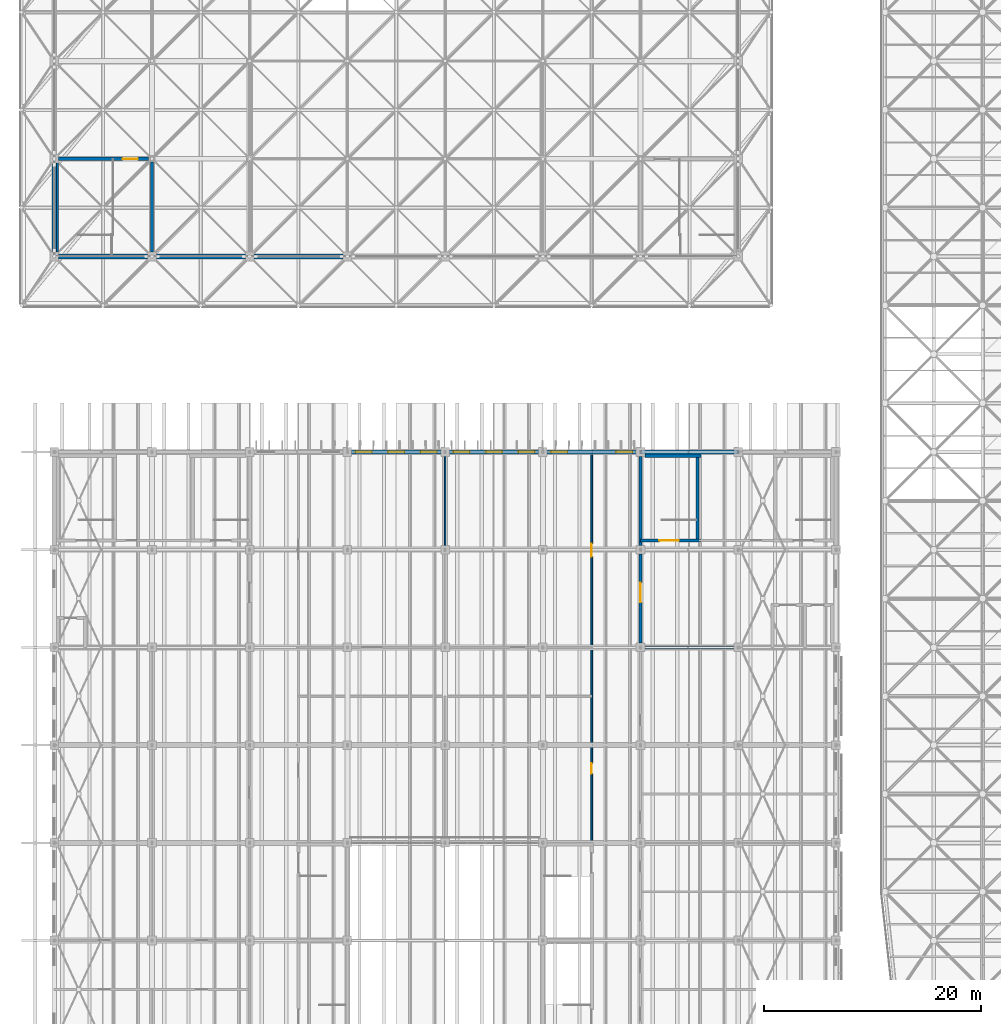
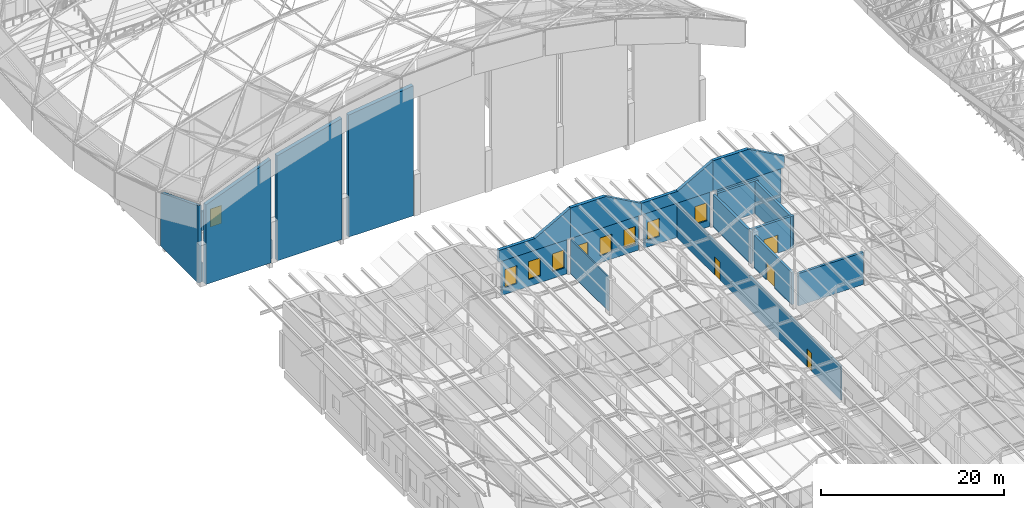
# One storey, part 269 of 437: 24 walls, 8 windows, 5 doors, 13 openings.
"""IFC4 building model written with IfcOpenShell, lengths in metres."""

from ifc_helpers import new_model, si_unit, direction, frame, frame_2d, origin, place, context, subcontext, project, spatial, polyline, rectangle, outline, extrude, material, layer, layer_set, type_object, element, fill, save


model = new_model("IFC4")

# Units and contexts
model_context = context("Model", 3, precision=1e-05, world=origin(), true_north=direction((0.0, 1.0)))
body_context = subcontext(model_context, "Body", "Model", "MODEL_VIEW")
ifc_project = project(units=[si_unit("LENGTHUNIT", "METRE"), si_unit("AREAUNIT", "SQUARE_METRE"), si_unit("VOLUMEUNIT", "CUBIC_METRE"), si_unit("PLANEANGLEUNIT", "RADIAN"), si_unit("MASSUNIT", "GRAM", prefix="KILO")], contexts=[model_context])

# Site, building, storey
site_placement = place(None, origin())
site = spatial("IfcSite", under=ifc_project, at=site_placement, CompositionType="ELEMENT")
building_placement = place(site_placement, origin())
building = spatial("IfcBuilding", under=site, at=building_placement, Name="Opaline Strait Convention Centre", CompositionType="ELEMENT")
storey_placement = place(building_placement, frame((0.0, 0.0, 11.5)))
storey = spatial("IfcBuildingStorey", under=building, at=storey_placement, Name="L02", CompositionType="ELEMENT", Elevation=11.5)

# Wall
ifc_material_1 = material(Name="Gypsum board on metal studs with mineral wool")
ifc_layer_1 = layer(ifc_material_1, 0.14990234375)
ifc_layer_set_1 = layer_set([ifc_layer_1], Name="Gypsum board on metal studs with mineral wool")
wall_type_1 = type_object("IfcWallType", Name="Partition 150", PredefinedType="PARTITIONING", material=ifc_layer_set_1)
wall_1_placement = place(storey_placement, frame((45.0, 90.39990234375, 0.0), z_axis=(0.0, 0.0, 1.0), x_axis=(0.0, 1.0, 0.0)))
element("IfcWall", 1, at=wall_1_placement, inside=storey, type_object=wall_type_1, Name="L02 partition", PredefinedType="PARTITIONING", context=body_context, shape_type="SweptSolid", body=[
    extrude(rectangle(XDim=8.2001953125, YDim=0.14990234375, at=frame_2d((4.10009765625, 0.0))), origin(), (0.0, 0.0, 1.0), 4.550048828125),
])

# Wall, openings, doors
wall_2_placement = place(storey_placement, frame((58.5, 63.0, 0.0), z_axis=(0.0, 0.0, 1.0), x_axis=(0.0, 1.0, 0.0)))
wall_2 = element("IfcWall", 2, at=wall_2_placement, inside=storey, type_object=wall_type_1, Name="L02 partition", PredefinedType="PARTITIONING", context=body_context, shape_type="SweptSolid", body=[
    extrude(rectangle(XDim=36.0, YDim=0.14990234375, at=frame_2d((18.0, 0.0))), origin(), (0.0, 0.0, 1.0), 4.550048828125),
])
opening_1_placement = place(wall_2_placement, frame((6.35009765625, 0.0, 0.0)))
opening_1 = element("IfcOpeningElement", 3, at=opening_1_placement, cuts=wall_2, Name="Opening R2-035", PredefinedType="OPENING", context=body_context, shape_type="SweptSolid", body=[
    extrude(rectangle(XDim=1.0, YDim=2.39990234375, at=frame_2d((0.5, 1.199951171875))), frame((0.0, 0.0849609375, 0.0), z_axis=(0.0, -1.0, 0.0), x_axis=(1.0, 0.0, 0.0)), (0.0, 0.0, 1.0), 0.169921875),
])
opening_2_placement = place(wall_2_placement, frame((26.35009765625, 0.0, 0.0)))
opening_2 = element("IfcOpeningElement", 4, at=opening_2_placement, cuts=wall_2, Name="Opening R2-038", PredefinedType="OPENING", context=body_context, shape_type="SweptSolid", body=[
    extrude(rectangle(XDim=1.199951171875, YDim=2.39990234375, at=frame_2d((0.60009765625, 1.199951171875))), frame((0.0, 0.0849609375, 0.0), z_axis=(0.0, -1.0, 0.0), x_axis=(1.0, 0.0, 0.0)), (0.0, 0.0, 1.0), 0.169921875),
])
ifc_material_2 = material(Name="Timber door leaf in steel frame", Category="steel")
door_type_1 = type_object("IfcDoorType", Name="Door 1000x2400 single FD30", OperationType="SINGLE_SWING_LEFT", PredefinedType="DOOR", material=ifc_material_2)
door_1_placement = place(opening_1_placement, frame((1.0, 0.0, 0.0), z_axis=(0.0, 0.0, 1.0), x_axis=(-1.0, 0.0, 0.0)))
door_1 = element("IfcDoor", 5, at=door_1_placement, inside=storey, type_object=door_type_1, Name="Conference Support Room door R2-035", ObjectType="RD1", OperationType="SINGLE_SWING_LEFT", OverallHeight=2.39990234375, OverallWidth=1.0, PredefinedType="DOOR", context=body_context, shape_type="SweptSolid", body=[
    extrude(rectangle(XDim=1.0, YDim=2.39990234375, at=frame_2d((0.5, 1.199951171875))), frame((0.0, 0.02490234375, 0.0), z_axis=(0.0, -1.0, 0.0), x_axis=(1.0, 0.0, 0.0)), (0.0, 0.0, 1.0), 0.050048828125),
])
fill(opening_1, door_1)
door_type_2 = type_object("IfcDoorType", Name="Meeting room door 1200x2400 FD30", OperationType="SINGLE_SWING_LEFT", PredefinedType="DOOR", material=ifc_material_2)
door_2_placement = place(opening_2_placement, frame((1.199951171875, 0.0, 0.0), z_axis=(0.0, 0.0, 1.0), x_axis=(-1.0, 0.0, 0.0)))
door_2 = element("IfcDoor", 6, at=door_2_placement, inside=storey, type_object=door_type_2, Name="Meeting Suite 2.03 door R2-038", ObjectType="RD14", OperationType="SINGLE_SWING_LEFT", OverallHeight=2.39990234375, OverallWidth=1.199951171875, PredefinedType="DOOR", context=body_context, shape_type="SweptSolid", body=[
    extrude(rectangle(XDim=1.199951171875, YDim=2.39990234375, at=frame_2d((0.60009765625, 1.199951171875))), frame((0.0, 0.02490234375, 0.0), z_axis=(0.0, -1.0, 0.0), x_axis=(1.0, 0.0, 0.0)), (0.0, 0.0, 1.0), 0.050048828125),
])
fill(opening_2, door_2)

# Walls
ifc_material_3 = material(Name="Concrete C40", Category="concrete")
ifc_layer_2 = layer(ifc_material_3, 0.320068359375)
ifc_material_4 = material(Name="Mineral wool insulation")
ifc_layer_3 = layer(ifc_material_4, 0.050048828125)
ifc_material_5 = material(Name="Gypsum board lining")
ifc_layer_4 = layer(ifc_material_5, 0.030029296875)
ifc_layer_set_2 = layer_set([ifc_layer_2, ifc_layer_3, ifc_layer_4], Name="Concrete C40, Mineral wool insulation, Gypsum board lining")
wall_type_2 = type_object("IfcWallType", Name="RC external wall 400 C40", PredefinedType="SOLIDWALL", material=ifc_layer_set_2)
wall_3_placement = place(storey_placement, frame((9.0, 117.39990234375, 0.0), z_axis=(0.0, 0.0, 1.0), x_axis=(0.0, 1.0, 0.0)))
element("IfcWall", 7, at=wall_3_placement, inside=storey, type_object=wall_type_2, Name="PW1 west wall L02 2/P-2/Q", PredefinedType="SOLIDWALL", context=body_context, shape_type="SweptSolid", body=[
    extrude(outline(polyline([(0.0, 0.0), (8.2001953125, 0.0), (8.199951171875, 7.061279296875), (0.0, 10.3134765625), (0.0, 0.0)])), frame((0.0, 0.199951171875, 0.0), z_axis=(0.0, -1.0, 0.0), x_axis=(1.0, 0.0, 0.0)), (0.0, 0.0, 1.0), 0.39990234375),
])
ifc_layer_5 = layer(ifc_material_3, 0.419921875)
ifc_layer_6 = layer(ifc_material_4, 0.050048828125)
ifc_layer_7 = layer(ifc_material_5, 0.030029296875)
ifc_layer_set_3 = layer_set([ifc_layer_5, ifc_layer_6, ifc_layer_7], Name="Concrete C40, Mineral wool insulation, Gypsum board lining")
wall_type_3 = type_object("IfcWallType", Name="RC stage wall 500 C40", PredefinedType="SOLIDWALL", material=ifc_layer_set_3)
wall_4_placement = place(storey_placement, frame((9.39990234375, 117.0, 0.0), z_axis=(0.0, 0.0, 1.0), x_axis=(1.0, 0.0, 0.0)))
element("IfcWall", 8, at=wall_4_placement, inside=storey, type_object=wall_type_3, Name="PW2 south stage wall L02 2/P-3/P", PredefinedType="SOLIDWALL", context=body_context, shape_type="SweptSolid", body=[
    extrude(outline(polyline([(0.0, 0.0), (8.2001953125, 0.0), (8.199951171875, 13.816162109375), (0.0, 10.578125), (0.0, 0.0)])), frame((0.0, 0.25, 0.0), z_axis=(0.0, -1.0, 0.0), x_axis=(1.0, 0.0, 0.0)), (0.0, 0.0, 1.0), 0.5),
])
wall_5_placement = place(storey_placement, frame((18.39990234375, 117.0, 0.0), z_axis=(0.0, 0.0, 1.0), x_axis=(1.0, 0.0, 0.0)))
element("IfcWall", 9, at=wall_5_placement, inside=storey, type_object=wall_type_3, Name="PW2 south stage wall L02 3/P-4/P", PredefinedType="SOLIDWALL", context=body_context, shape_type="SweptSolid", body=[
    extrude(outline(polyline([(0.0, 0.0), (8.2001953125, 0.0), (8.199951171875, 16.152587890625), (0.0, 13.993896484375), (0.0, 0.0)])), frame((0.0, 0.25, 0.0), z_axis=(0.0, -1.0, 0.0), x_axis=(1.0, 0.0, 0.0)), (0.0, 0.0, 1.0), 0.5),
])
wall_6_placement = place(storey_placement, frame((27.39990234375, 117.0, 0.0), z_axis=(0.0, 0.0, 1.0), x_axis=(1.0, 0.0, 0.0)))
element("IfcWall", 10, at=wall_6_placement, inside=storey, type_object=wall_type_3, Name="PW2 south stage wall L02 4/P-5/P", PredefinedType="SOLIDWALL", context=body_context, shape_type="SweptSolid", body=[
    extrude(outline(polyline([(0.0, 0.0), (8.2001953125, 0.0), (8.199951171875, 17.34619140625), (0.0, 16.26708984375), (0.0, 0.0)])), frame((0.0, 0.25, 0.0), z_axis=(0.0, -1.0, 0.0), x_axis=(1.0, 0.0, 0.0)), (0.0, 0.0, 1.0), 0.5),
])
ifc_layer_8 = layer(ifc_material_3, 0.300048828125)
ifc_layer_set_4 = layer_set([ifc_layer_8], Name="Concrete C40")
wall_type_4 = type_object("IfcWallType", Name="RC stair core wall 300 C40", PredefinedType="SOLIDWALL", material=ifc_layer_set_4)
wall_7_placement = place(storey_placement, frame((18.0, 117.39990234375, 0.0), z_axis=(0.0, 0.0, 1.0), x_axis=(0.0, 1.0, 0.0)))
element("IfcWall", 11, at=wall_7_placement, inside=storey, type_object=wall_type_4, Name="PW13 L02 SW core side wall", PredefinedType="SOLIDWALL", context=body_context, shape_type="SweptSolid", body=[
    extrude(rectangle(XDim=8.300048828125, YDim=0.300048828125, at=frame_2d((4.14990234375, 0.0))), origin(), (0.0, 0.0, 1.0), 2.5),
])

# Wall, opening, door
wall_8_placement = place(storey_placement, frame((9.39990234375, 126.0, 0.0), z_axis=(0.0, 0.0, 1.0), x_axis=(1.0, 0.0, 0.0)))
wall_8 = element("IfcWall", 12, at=wall_8_placement, inside=storey, type_object=wall_type_4, Name="PW13 L02 SW core cross wall", PredefinedType="SOLIDWALL", context=body_context, shape_type="SweptSolid", body=[
    extrude(rectangle(XDim=8.300048828125, YDim=0.300048828125, at=frame_2d((4.14990234375, 0.0))), origin(), (0.0, 0.0, 1.0), 2.5),
])
opening_3_placement = place(wall_8_placement, frame((5.89990234375, 0.0, 0.0)))
opening_3 = element("IfcOpeningElement", 13, at=opening_3_placement, cuts=wall_8, Name="Opening P2-001", PredefinedType="OPENING", context=body_context, shape_type="SweptSolid", body=[
    extrude(rectangle(XDim=1.39990234375, YDim=2.39990234375, at=frame_2d((0.699951171875, 1.199951171875))), frame((0.0, 0.159912109375, 0.0), z_axis=(0.0, -1.0, 0.0), x_axis=(1.0, 0.0, 0.0)), (0.0, 0.0, 1.0), 0.320068359375),
])
ifc_material_6 = material(Name="Steel Q235B", Category="steel")
door_type_3 = type_object("IfcDoorType", Name="Fire door FD60 1400 x 2400", OperationType="DOUBLE_DOOR_SINGLE_SWING", PredefinedType="DOOR", material=ifc_material_6)
door_3_placement = place(opening_3_placement, origin())
door_3 = element("IfcDoor", 14, at=door_3_placement, inside=storey, type_object=door_type_3, Name="SW stair core door", ObjectType="PD8", OperationType="SINGLE_SWING_LEFT", OverallHeight=2.39990234375, OverallWidth=1.39990234375, PredefinedType="DOOR", context=body_context, shape_type="SweptSolid", body=[
    extrude(rectangle(XDim=1.39990234375, YDim=2.39990234375, at=frame_2d((0.699951171875, 1.199951171875))), frame((0.0, 0.02490234375, 0.0), z_axis=(0.0, -1.0, 0.0), x_axis=(1.0, 0.0, 0.0)), (0.0, 0.0, 1.0), 0.050048828125),
])
fill(opening_3, door_3)

# Walls
ifc_layer_9 = layer(ifc_material_3, 0.199951171875)
ifc_layer_set_5 = layer_set([ifc_layer_9], Name="Concrete C40")
wall_type_5 = type_object("IfcWallType", Name="RC stair lining wall 200 C40", PredefinedType="SOLIDWALL", material=ifc_layer_set_5)
wall_9_placement = place(storey_placement, frame((9.300048828125, 117.39990234375, 0.0), z_axis=(0.0, 0.0, 1.0), x_axis=(0.0, 1.0, 0.0)))
element("IfcWall", 15, at=wall_9_placement, inside=storey, type_object=wall_type_5, Name="PW14 L02 SW stair lining wall", PredefinedType="SOLIDWALL", context=body_context, shape_type="SweptSolid", body=[
    extrude(rectangle(XDim=8.300048828125, YDim=0.199951171875, at=frame_2d((4.14990234375, 0.0))), origin(), (0.0, 0.0, 1.0), 2.5),
])
ifc_layer_10 = layer(ifc_material_3, 0.300048828125)
ifc_layer_set_6 = layer_set([ifc_layer_10], Name="Concrete C40")
wall_type_6 = type_object("IfcWallType", Name="RC wall 300 C40", PredefinedType="SOLIDWALL", material=ifc_layer_set_6)
wall_10_placement = place(storey_placement, frame((68.550048828125, 98.64990234375, 0.0), z_axis=(0.0, 0.0, 1.0), x_axis=(-1.0, 0.0, 0.0)))
element("IfcWall", 16, at=wall_10_placement, inside=storey, type_object=wall_type_6, Name="NE core STB-S wall", PredefinedType="SOLIDWALL", context=body_context, shape_type="SweptSolid", body=[
    extrude(rectangle(XDim=5.150146484375, YDim=0.300048828125, at=frame_2d((2.5751953125, 0.0))), origin(), (0.0, 0.0, 1.0), 4.300048828125),
])

# Wall, opening, door
wall_11_placement = place(storey_placement, frame((68.550048828125, 90.85009765625, 0.0), z_axis=(0.0, 0.0, 1.0), x_axis=(-1.0, 0.0, 0.0)))
wall_11 = element("IfcWall", 17, at=wall_11_placement, inside=storey, type_object=wall_type_6, Name="NE core STB-N wall", PredefinedType="SOLIDWALL", context=body_context, shape_type="SweptSolid", body=[
    extrude(rectangle(XDim=5.550048828125, YDim=0.300048828125, at=frame_2d((2.77490234375, 0.0))), origin(), (0.0, 0.0, 1.0), 4.300048828125),
])
opening_4_placement = place(wall_11_placement, frame((2.02490234375, 0.0, 0.0)))
opening_4 = element("IfcOpeningElement", 18, at=opening_4_placement, cuts=wall_11, Name="Opening R2-018", PredefinedType="OPENING", context=body_context, shape_type="SweptSolid", body=[
    extrude(rectangle(XDim=1.800048828125, YDim=2.39990234375, at=frame_2d((0.89990234375, 1.199951171875))), frame((0.0, 0.159912109375, 0.0), z_axis=(0.0, -1.0, 0.0), x_axis=(1.0, 0.0, 0.0)), (0.0, 0.0, 1.0), 0.320068359375),
])
ifc_material_7 = material(Name="Timber door leaves in steel frame", Category="steel")
door_type_4 = type_object("IfcDoorType", Name="Stair door 1800x2400 double FD60", OperationType="DOUBLE_DOOR_SINGLE_SWING", PredefinedType="DOOR", material=ifc_material_7)
door_4_placement = place(opening_4_placement, origin())
door_4 = element("IfcDoor", 19, at=door_4_placement, inside=storey, type_object=door_type_4, Name="Stair door NEB R2-018", ObjectType="RD7", OperationType="DOUBLE_DOOR_SINGLE_SWING", OverallHeight=2.39990234375, OverallWidth=1.800048828125, PredefinedType="DOOR", context=body_context, shape_type="SweptSolid", body=[
    extrude(rectangle(XDim=1.800048828125, YDim=2.39990234375, at=frame_2d((0.89990234375, 1.199951171875))), frame((0.0, 0.02490234375, 0.0), z_axis=(0.0, -1.0, 0.0), x_axis=(1.0, 0.0, 0.0)), (0.0, 0.0, 1.0), 0.050048828125),
])
fill(opening_4, door_4)

# Walls
wall_12_placement = place(storey_placement, frame((68.25, 98.800048828125, 0.0), z_axis=(0.0, 0.0, 1.0), x_axis=(0.0, -1.0, 0.0)))
element("IfcWall", 20, at=wall_12_placement, inside=storey, type_object=wall_type_6, Name="NE core STB-W wall", PredefinedType="SOLIDWALL", context=body_context, shape_type="SweptSolid", body=[
    extrude(rectangle(XDim=8.10009765625, YDim=0.300048828125, at=frame_2d((4.050048828125, 0.0))), origin(), (0.0, 0.0, 1.0), 4.300048828125),
])
wall_13_placement = place(storey_placement, frame((63.0, 98.60009765625, 0.0), z_axis=(0.0, 0.0, 1.0), x_axis=(0.0, -1.0, 0.0)))
element("IfcWall", 21, at=wall_13_placement, inside=storey, type_object=wall_type_6, Name="NE core STB-E wall", PredefinedType="SOLIDWALL", context=body_context, shape_type="SweptSolid", body=[
    extrude(rectangle(XDim=7.900146484375, YDim=0.300048828125, at=frame_2d((3.9501953125, 0.0))), origin(), (0.0, 0.0, 1.0), 4.300048828125),
])
wall_14_placement = place(storey_placement, frame((71.60009765625, 81.0, 0.0), z_axis=(0.0, 0.0, 1.0), x_axis=(-1.0, 0.0, 0.0)))
element("IfcWall", 22, at=wall_14_placement, inside=storey, type_object=wall_type_6, Name="NE core BND-N wall", PredefinedType="SOLIDWALL", context=body_context, shape_type="SweptSolid", body=[
    extrude(rectangle(XDim=8.2001953125, YDim=0.300048828125, at=frame_2d((4.10009765625, 0.0))), origin(), (0.0, 0.0, 1.0), 4.300048828125),
])

# Wall, opening, door
wall_15_placement = place(storey_placement, frame((63.0, 89.60009765625, 0.0), z_axis=(0.0, 0.0, 1.0), x_axis=(0.0, -1.0, 0.0)))
wall_15 = element("IfcWall", 23, at=wall_15_placement, inside=storey, type_object=wall_type_6, Name="NE core BND-E wall", PredefinedType="SOLIDWALL", context=body_context, shape_type="SweptSolid", body=[
    extrude(rectangle(XDim=8.2001953125, YDim=0.300048828125, at=frame_2d((4.10009765625, 0.0))), origin(), (0.0, 0.0, 1.0), 4.300048828125),
])
opening_5_placement = place(wall_15_placement, frame((2.64990234375, 0.0, 0.0)))
opening_5 = element("IfcOpeningElement", 24, at=opening_5_placement, cuts=wall_15, Name="Opening R2-020", PredefinedType="OPENING", context=body_context, shape_type="SweptSolid", body=[
    extrude(rectangle(XDim=1.800048828125, YDim=2.39990234375, at=frame_2d((0.89990234375, 1.199951171875))), frame((0.0, 0.159912109375, 0.0), z_axis=(0.0, -1.0, 0.0), x_axis=(1.0, 0.0, 0.0)), (0.0, 0.0, 1.0), 0.320068359375),
])
door_type_5 = type_object("IfcDoorType", Name="Door 1800x2400 double FD60", OperationType="DOUBLE_DOOR_SINGLE_SWING", PredefinedType="DOOR", material=ifc_material_7)
door_5_placement = place(opening_5_placement, frame((1.800048828125, 0.0, 0.0), z_axis=(0.0, 0.0, 1.0), x_axis=(-1.0, 0.0, 0.0)))
door_5 = element("IfcDoor", 25, at=door_5_placement, inside=storey, type_object=door_type_5, Name="Core lobby door NE R2-020", ObjectType="RD9", OperationType="DOUBLE_DOOR_SINGLE_SWING", OverallHeight=2.39990234375, OverallWidth=1.800048828125, PredefinedType="DOOR", context=body_context, shape_type="SweptSolid", body=[
    extrude(rectangle(XDim=1.800048828125, YDim=2.39990234375, at=frame_2d((0.89990234375, 1.199951171875))), frame((0.0, 0.02490234375, 0.0), z_axis=(0.0, -1.0, 0.0), x_axis=(1.0, 0.0, 0.0)), (0.0, 0.0, 1.0), 0.050048828125),
])
fill(opening_5, door_5)

# Walls
wall_16_placement = place(storey_placement, frame((63.0, 90.699951171875, 0.0), z_axis=(0.0, 0.0, 1.0), x_axis=(0.0, -1.0, 0.0)))
element("IfcWall", 26, at=wall_16_placement, inside=storey, type_object=wall_type_6, Name="NE core BND-E wall", PredefinedType="SOLIDWALL", context=body_context, shape_type="SweptSolid", body=[
    extrude(rectangle(XDim=0.300048828125, YDim=0.300048828125, at=frame_2d((0.14990234375, 0.0))), origin(), (0.0, 0.0, 1.0), 4.300048828125),
])
ifc_layer_11 = layer(ifc_material_3, 0.320068359375)
ifc_layer_12 = layer(ifc_material_4, 0.050048828125)
ifc_layer_13 = layer(ifc_material_5, 0.030029296875)
ifc_layer_set_7 = layer_set([ifc_layer_11, ifc_layer_12, ifc_layer_13], Name="Concrete C40, Mineral wool insulation, Gypsum board lining")
wall_type_7 = type_object("IfcWallType", Name="RC wall 400 C40", PredefinedType="SOLIDWALL", material=ifc_layer_set_7)
wall_17_placement = place(storey_placement, frame((36.0, 99.0, 4.550048828125), z_axis=(0.0, 0.0, 1.0), x_axis=(1.0, 0.0, 0.0)))
element("IfcWall", 27, at=wall_17_placement, inside=storey, type_object=wall_type_7, Name="N roof infill wall 4", PredefinedType="SOLIDWALL", context=body_context, shape_type="SweptSolid", body=[
    extrude(outline(polyline([(0.0, 0.0), (9.0, 0.0), (9.0, 4.0283203125), (4.538818359375, 1.550048828125), (0.0, 1.550048828125), (0.0, 0.0)])), frame((0.0, 0.199951171875, 0.0), z_axis=(0.0, -1.0, 0.0), x_axis=(1.0, 0.0, 0.0)), (0.0, 0.0, 1.0), 0.39990234375),
])
wall_18_placement = place(storey_placement, frame((45.0, 99.0, 4.550048828125), z_axis=(0.0, 0.0, 1.0), x_axis=(1.0, 0.0, 0.0)))
element("IfcWall", 28, at=wall_18_placement, inside=storey, type_object=wall_type_7, Name="N roof infill wall 5", PredefinedType="SOLIDWALL", context=body_context, shape_type="SweptSolid", body=[
    extrude(outline(polyline([(0.0, 0.0), (9.0, 0.0), (9.0, 1.550048828125), (8.961181640625, 1.550048828125), (4.461181640625, 4.050048828125), (0.038818359375, 4.050048828125), (0.0, 4.0283203125), (0.0, 0.0)])), frame((0.0, 0.199951171875, 0.0), z_axis=(0.0, -1.0, 0.0), x_axis=(1.0, 0.0, 0.0)), (0.0, 0.0, 1.0), 0.39990234375),
])
wall_19_placement = place(storey_placement, frame((54.0, 99.0, 4.550048828125), z_axis=(0.0, 0.0, 1.0), x_axis=(1.0, 0.0, 0.0)))
element("IfcWall", 29, at=wall_19_placement, inside=storey, type_object=wall_type_7, Name="N roof infill wall 6", PredefinedType="SOLIDWALL", context=body_context, shape_type="SweptSolid", body=[
    extrude(outline(polyline([(0.0, 0.0), (9.0, 0.0), (9.0, 4.0283203125), (4.538818359375, 1.550048828125), (0.0, 1.550048828125), (0.0, 0.0)])), frame((0.0, 0.199951171875, 0.0), z_axis=(0.0, -1.0, 0.0), x_axis=(1.0, 0.0, 0.0)), (0.0, 0.0, 1.0), 0.39990234375),
])
wall_20_placement = place(storey_placement, frame((63.0, 99.0, 4.550048828125), z_axis=(0.0, 0.0, 1.0), x_axis=(1.0, 0.0, 0.0)))
element("IfcWall", 30, at=wall_20_placement, inside=storey, type_object=wall_type_7, Name="N roof infill wall 7", PredefinedType="SOLIDWALL", context=body_context, shape_type="SweptSolid", body=[
    extrude(outline(polyline([(0.0, 0.0), (9.0, 0.0), (9.0, 1.550048828125), (8.961181640625, 1.550048828125), (4.461181640625, 4.050048828125), (0.038818359375, 4.050048828125), (0.0, 4.0283203125), (0.0, 0.0)])), frame((0.0, 0.199951171875, 0.0), z_axis=(0.0, -1.0, 0.0), x_axis=(1.0, 0.0, 0.0)), (0.0, 0.0, 1.0), 0.39990234375),
])

# Wall, openings, windows
wall_21_placement = place(storey_placement, frame((36.39990234375, 99.0, 0.0), z_axis=(0.0, 0.0, 1.0), x_axis=(1.0, 0.0, 0.0)))
wall_21 = element("IfcWall", 31, at=wall_21_placement, inside=storey, type_object=wall_type_7, Name="L02 N external wall 4", PredefinedType="SOLIDWALL", context=body_context, shape_type="SweptSolid", body=[
    extrude(rectangle(XDim=8.2001953125, YDim=0.39990234375, at=frame_2d((4.10009765625, 0.0))), origin(), (0.0, 0.0, 1.0), 4.550048828125),
])
opening_6_placement = place(wall_21_placement, frame((0.35009765625, 0.0, 0.89990234375)))
opening_6 = element("IfcOpeningElement", 32, at=opening_6_placement, cuts=wall_21, Name="Opening RWN2", PredefinedType="OPENING", context=body_context, shape_type="SweptSolid", body=[
    extrude(rectangle(XDim=1.5, YDim=2.39990234375, at=frame_2d((0.75, 1.199951171875))), frame((0.0, 0.2099609375, 0.0), z_axis=(0.0, -1.0, 0.0), x_axis=(1.0, 0.0, 0.0)), (0.0, 0.0, 1.0), 0.419921875),
])
opening_7_placement = place(wall_21_placement, frame((3.35009765625, 0.0, 0.89990234375)))
opening_7 = element("IfcOpeningElement", 33, at=opening_7_placement, cuts=wall_21, Name="Opening RWN2", PredefinedType="OPENING", context=body_context, shape_type="SweptSolid", body=[
    extrude(rectangle(XDim=1.5, YDim=2.39990234375, at=frame_2d((0.75, 1.199951171875))), frame((0.0, 0.2099609375, 0.0), z_axis=(0.0, -1.0, 0.0), x_axis=(1.0, 0.0, 0.0)), (0.0, 0.0, 1.0), 0.419921875),
])
opening_8_placement = place(wall_21_placement, frame((6.35009765625, 0.0, 0.89990234375)))
opening_8 = element("IfcOpeningElement", 34, at=opening_8_placement, cuts=wall_21, Name="Opening RWN2", PredefinedType="OPENING", context=body_context, shape_type="SweptSolid", body=[
    extrude(rectangle(XDim=1.5, YDim=2.39990234375, at=frame_2d((0.75, 1.199951171875))), frame((0.0, 0.2099609375, 0.0), z_axis=(0.0, -1.0, 0.0), x_axis=(1.0, 0.0, 0.0)), (0.0, 0.0, 1.0), 0.419921875),
])
ifc_material_8 = material(Name="Aluminium framed double glazing", Category="aluminium")
window_type = type_object("IfcWindowType", Name="Window 1500x2400 sill 900", PartitioningType="SINGLE_PANEL", PredefinedType="WINDOW", material=ifc_material_8)
window_1_placement = place(opening_6_placement, origin())
window_1 = element("IfcWindow", 35, at=window_1_placement, inside=storey, type_object=window_type, Name="Window L02-N4-W1", OverallHeight=2.39990234375, OverallWidth=1.5, PartitioningType="SINGLE_PANEL", PredefinedType="WINDOW", context=body_context, shape_type="SweptSolid", body=[
    extrude(rectangle(XDim=1.5, YDim=2.39990234375, at=frame_2d((0.75, 1.199951171875))), frame((0.0, 0.030029296875, 0.0), z_axis=(0.0, -1.0, 0.0), x_axis=(1.0, 0.0, 0.0)), (0.0, 0.0, 1.0), 0.06005859375),
])
fill(opening_6, window_1)
window_2_placement = place(opening_7_placement, origin())
window_2 = element("IfcWindow", 36, at=window_2_placement, inside=storey, type_object=window_type, Name="Window L02-N4-W2", OverallHeight=2.39990234375, OverallWidth=1.5, PartitioningType="SINGLE_PANEL", PredefinedType="WINDOW", context=body_context, shape_type="SweptSolid", body=[
    extrude(rectangle(XDim=1.5, YDim=2.39990234375, at=frame_2d((0.75, 1.199951171875))), frame((0.0, 0.030029296875, 0.0), z_axis=(0.0, -1.0, 0.0), x_axis=(1.0, 0.0, 0.0)), (0.0, 0.0, 1.0), 0.06005859375),
])
fill(opening_7, window_2)
window_3_placement = place(opening_8_placement, origin())
window_3 = element("IfcWindow", 37, at=window_3_placement, inside=storey, type_object=window_type, Name="Window L02-N4-W3", OverallHeight=2.39990234375, OverallWidth=1.5, PartitioningType="SINGLE_PANEL", PredefinedType="WINDOW", context=body_context, shape_type="SweptSolid", body=[
    extrude(rectangle(XDim=1.5, YDim=2.39990234375, at=frame_2d((0.75, 1.199951171875))), frame((0.0, 0.030029296875, 0.0), z_axis=(0.0, -1.0, 0.0), x_axis=(1.0, 0.0, 0.0)), (0.0, 0.0, 1.0), 0.06005859375),
])
fill(opening_8, window_3)

wall_22_placement = place(storey_placement, frame((45.39990234375, 99.0, 0.0), z_axis=(0.0, 0.0, 1.0), x_axis=(1.0, 0.0, 0.0)))
wall_22 = element("IfcWall", 38, at=wall_22_placement, inside=storey, type_object=wall_type_7, Name="L02 N external wall 5", PredefinedType="SOLIDWALL", context=body_context, shape_type="SweptSolid", body=[
    extrude(rectangle(XDim=8.2001953125, YDim=0.39990234375, at=frame_2d((4.10009765625, 0.0))), origin(), (0.0, 0.0, 1.0), 4.550048828125),
])
opening_9_placement = place(wall_22_placement, frame((0.35009765625, 0.0, 0.89990234375)))
opening_9 = element("IfcOpeningElement", 39, at=opening_9_placement, cuts=wall_22, Name="Opening RWN2", PredefinedType="OPENING", context=body_context, shape_type="SweptSolid", body=[
    extrude(rectangle(XDim=1.5, YDim=2.39990234375, at=frame_2d((0.75, 1.199951171875))), frame((0.0, 0.2099609375, 0.0), z_axis=(0.0, -1.0, 0.0), x_axis=(1.0, 0.0, 0.0)), (0.0, 0.0, 1.0), 0.419921875),
])
opening_10_placement = place(wall_22_placement, frame((3.35009765625, 0.0, 0.89990234375)))
opening_10 = element("IfcOpeningElement", 40, at=opening_10_placement, cuts=wall_22, Name="Opening RWN2", PredefinedType="OPENING", context=body_context, shape_type="SweptSolid", body=[
    extrude(rectangle(XDim=1.5, YDim=2.39990234375, at=frame_2d((0.75, 1.199951171875))), frame((0.0, 0.2099609375, 0.0), z_axis=(0.0, -1.0, 0.0), x_axis=(1.0, 0.0, 0.0)), (0.0, 0.0, 1.0), 0.419921875),
])
opening_11_placement = place(wall_22_placement, frame((6.35009765625, 0.0, 0.89990234375)))
opening_11 = element("IfcOpeningElement", 41, at=opening_11_placement, cuts=wall_22, Name="Opening RWN2", PredefinedType="OPENING", context=body_context, shape_type="SweptSolid", body=[
    extrude(rectangle(XDim=1.5, YDim=2.39990234375, at=frame_2d((0.75, 1.199951171875))), frame((0.0, 0.2099609375, 0.0), z_axis=(0.0, -1.0, 0.0), x_axis=(1.0, 0.0, 0.0)), (0.0, 0.0, 1.0), 0.419921875),
])
window_4_placement = place(opening_9_placement, origin())
window_4 = element("IfcWindow", 42, at=window_4_placement, inside=storey, type_object=window_type, Name="Window L02-N5-W1", OverallHeight=2.39990234375, OverallWidth=1.5, PartitioningType="SINGLE_PANEL", PredefinedType="WINDOW", context=body_context, shape_type="SweptSolid", body=[
    extrude(rectangle(XDim=1.5, YDim=2.39990234375, at=frame_2d((0.75, 1.199951171875))), frame((0.0, 0.030029296875, 0.0), z_axis=(0.0, -1.0, 0.0), x_axis=(1.0, 0.0, 0.0)), (0.0, 0.0, 1.0), 0.06005859375),
])
fill(opening_9, window_4)
window_5_placement = place(opening_10_placement, origin())
window_5 = element("IfcWindow", 43, at=window_5_placement, inside=storey, type_object=window_type, Name="Window L02-N5-W2", OverallHeight=2.39990234375, OverallWidth=1.5, PartitioningType="SINGLE_PANEL", PredefinedType="WINDOW", context=body_context, shape_type="SweptSolid", body=[
    extrude(rectangle(XDim=1.5, YDim=2.39990234375, at=frame_2d((0.75, 1.199951171875))), frame((0.0, 0.030029296875, 0.0), z_axis=(0.0, -1.0, 0.0), x_axis=(1.0, 0.0, 0.0)), (0.0, 0.0, 1.0), 0.06005859375),
])
fill(opening_10, window_5)
window_6_placement = place(opening_11_placement, origin())
window_6 = element("IfcWindow", 44, at=window_6_placement, inside=storey, type_object=window_type, Name="Window L02-N5-W3", OverallHeight=2.39990234375, OverallWidth=1.5, PartitioningType="SINGLE_PANEL", PredefinedType="WINDOW", context=body_context, shape_type="SweptSolid", body=[
    extrude(rectangle(XDim=1.5, YDim=2.39990234375, at=frame_2d((0.75, 1.199951171875))), frame((0.0, 0.030029296875, 0.0), z_axis=(0.0, -1.0, 0.0), x_axis=(1.0, 0.0, 0.0)), (0.0, 0.0, 1.0), 0.06005859375),
])
fill(opening_11, window_6)

wall_23_placement = place(storey_placement, frame((54.39990234375, 99.0, 0.0), z_axis=(0.0, 0.0, 1.0), x_axis=(1.0, 0.0, 0.0)))
wall_23 = element("IfcWall", 45, at=wall_23_placement, inside=storey, type_object=wall_type_7, Name="L02 N external wall 6", PredefinedType="SOLIDWALL", context=body_context, shape_type="SweptSolid", body=[
    extrude(rectangle(XDim=8.2001953125, YDim=0.39990234375, at=frame_2d((4.10009765625, 0.0))), origin(), (0.0, 0.0, 1.0), 4.550048828125),
])
opening_12_placement = place(wall_23_placement, frame((0.35009765625, 0.0, 0.89990234375)))
opening_12 = element("IfcOpeningElement", 46, at=opening_12_placement, cuts=wall_23, Name="Opening RWN2", PredefinedType="OPENING", context=body_context, shape_type="SweptSolid", body=[
    extrude(rectangle(XDim=1.5, YDim=2.39990234375, at=frame_2d((0.75, 1.199951171875))), frame((0.0, 0.2099609375, 0.0), z_axis=(0.0, -1.0, 0.0), x_axis=(1.0, 0.0, 0.0)), (0.0, 0.0, 1.0), 0.419921875),
])
opening_13_placement = place(wall_23_placement, frame((6.35009765625, 0.0, 0.89990234375)))
opening_13 = element("IfcOpeningElement", 47, at=opening_13_placement, cuts=wall_23, Name="Opening RWN2", PredefinedType="OPENING", context=body_context, shape_type="SweptSolid", body=[
    extrude(rectangle(XDim=1.5, YDim=2.39990234375, at=frame_2d((0.75, 1.199951171875))), frame((0.0, 0.2099609375, 0.0), z_axis=(0.0, -1.0, 0.0), x_axis=(1.0, 0.0, 0.0)), (0.0, 0.0, 1.0), 0.419921875),
])
window_7_placement = place(opening_12_placement, origin())
window_7 = element("IfcWindow", 48, at=window_7_placement, inside=storey, type_object=window_type, Name="Window L02-N6-W1", OverallHeight=2.39990234375, OverallWidth=1.5, PartitioningType="SINGLE_PANEL", PredefinedType="WINDOW", context=body_context, shape_type="SweptSolid", body=[
    extrude(rectangle(XDim=1.5, YDim=2.39990234375, at=frame_2d((0.75, 1.199951171875))), frame((0.0, 0.030029296875, 0.0), z_axis=(0.0, -1.0, 0.0), x_axis=(1.0, 0.0, 0.0)), (0.0, 0.0, 1.0), 0.06005859375),
])
fill(opening_12, window_7)
window_8_placement = place(opening_13_placement, origin())
window_8 = element("IfcWindow", 49, at=window_8_placement, inside=storey, type_object=window_type, Name="Window L02-N6-W3", OverallHeight=2.39990234375, OverallWidth=1.5, PartitioningType="SINGLE_PANEL", PredefinedType="WINDOW", context=body_context, shape_type="SweptSolid", body=[
    extrude(rectangle(XDim=1.5, YDim=2.39990234375, at=frame_2d((0.75, 1.199951171875))), frame((0.0, 0.030029296875, 0.0), z_axis=(0.0, -1.0, 0.0), x_axis=(1.0, 0.0, 0.0)), (0.0, 0.0, 1.0), 0.06005859375),
])
fill(opening_13, window_8)

# Wall
wall_24_placement = place(storey_placement, frame((63.39990234375, 99.0, 0.0), z_axis=(0.0, 0.0, 1.0), x_axis=(1.0, 0.0, 0.0)))
element("IfcWall", 50, at=wall_24_placement, inside=storey, type_object=wall_type_7, Name="L02 N external wall 7", PredefinedType="SOLIDWALL", context=body_context, shape_type="SweptSolid", body=[
    extrude(rectangle(XDim=8.2001953125, YDim=0.39990234375, at=frame_2d((4.10009765625, 0.0))), origin(), (0.0, 0.0, 1.0), 4.550048828125),
])

save(model, "model.ifc")
